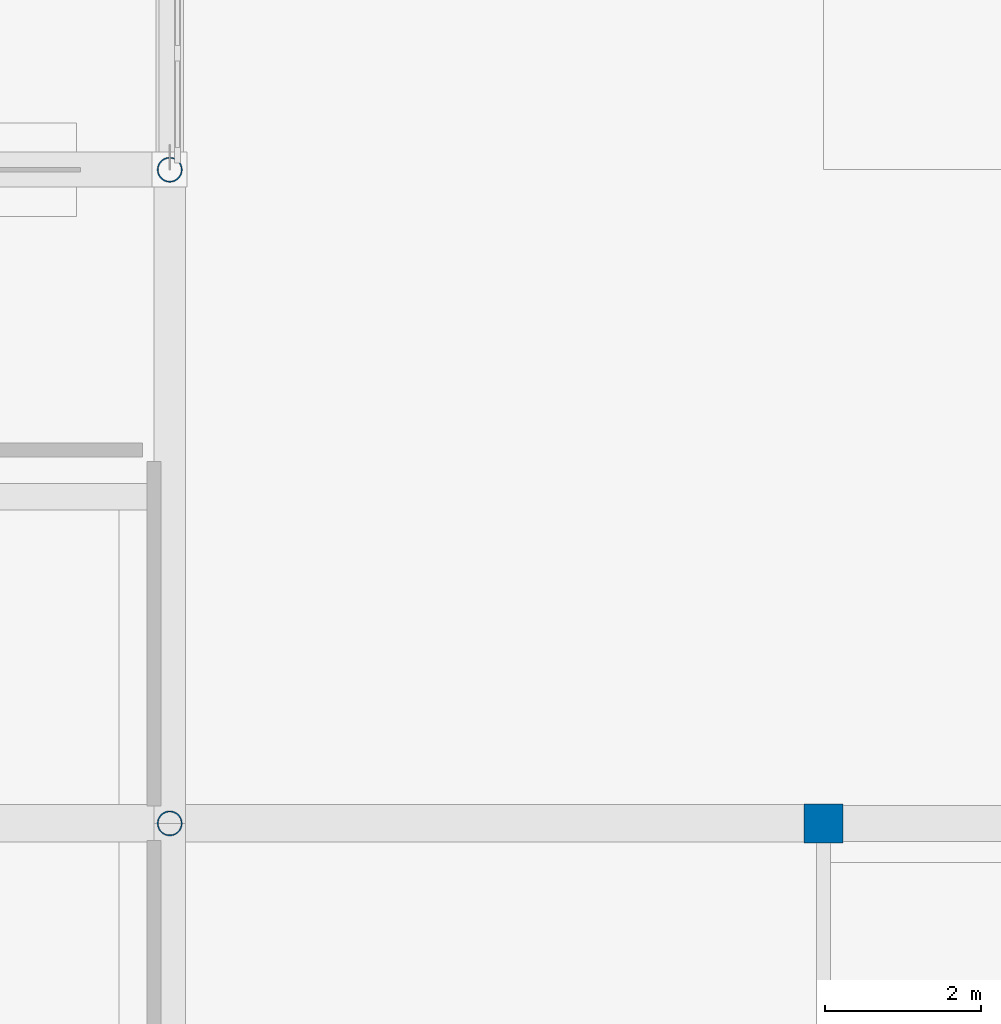
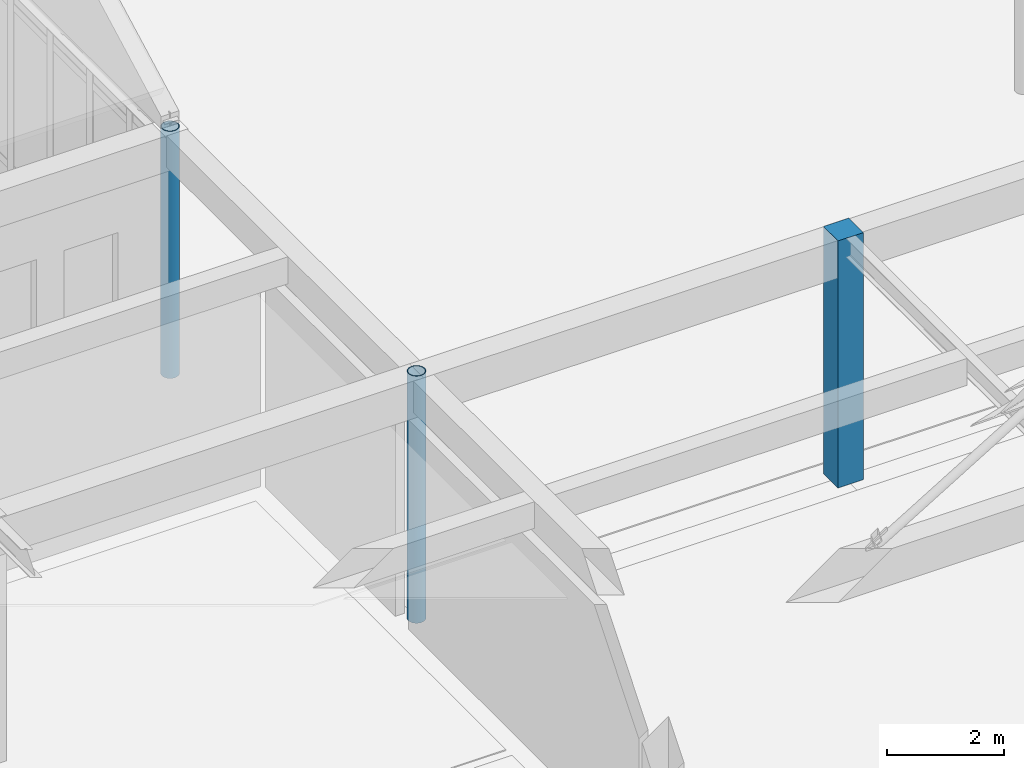
# One storey, part 9 of 143: 3 columns.
"""IFC4 building model written with IfcOpenShell, lengths in metres."""

from ifc_helpers import new_model, si_unit, direction, frame, origin, origin_2d, place, context, subcontext, project, spatial, rectangle, hollow_circle, extrude, material, material_profile, profile_set, type_object, element, save


model = new_model("IFC4")

# Units and contexts
model_context = context("Model", 3, precision=1e-05, world=origin(), true_north=direction((0.0, 1.0)))
body_context = subcontext(model_context, "Body", "Model", "MODEL_VIEW")
ifc_project = project(units=[si_unit("LENGTHUNIT", "METRE"), si_unit("AREAUNIT", "SQUARE_METRE"), si_unit("VOLUMEUNIT", "CUBIC_METRE"), si_unit("PLANEANGLEUNIT", "RADIAN"), si_unit("MASSUNIT", "GRAM", prefix="KILO")], contexts=[model_context])

# Site, building, storey
site_placement = place(None, origin())
site = spatial("IfcSite", under=ifc_project, at=site_placement, CompositionType="ELEMENT")
building_placement = place(site_placement, origin())
building = spatial("IfcBuilding", under=site, at=building_placement, Name="Kveldsbrygga Polytechnic", CompositionType="ELEMENT")
storey_placement = place(building_placement, origin())
storey = spatial("IfcBuildingStorey", under=building, at=storey_placement, Name="L00", CompositionType="ELEMENT", Elevation=0.0)

# Columns
ifc_material_1 = material(Name="Concrete C45/55", Category="concrete")
ifc_material_profile_1 = material_profile(ifc_material_1, rectangle(XDim=0.5, YDim=0.5, at=origin_2d()), Name="RC 500x500")
ifc_profile_set_1 = profile_set([ifc_material_profile_1], Name="Concrete C45/55")
column_type_1 = type_object("IfcColumnType", Name="COL-RC-500", PredefinedType="COLUMN", material=ifc_profile_set_1)
column_placement = place(storey_placement, frame((58.800048828125, 16.800048828125, 0.0), z_axis=(0.0, 0.0, 1.0), x_axis=(1.0, 0.0, 0.0)))
element("IfcColumn", 1, at=column_placement, inside=storey, type_object=column_type_1, Name="Column COL-L00-07-02", PredefinedType="COLUMN", context=body_context, shape_type="SweptSolid", body=[
    extrude(rectangle(XDim=0.5, YDim=0.5, at=origin_2d()), origin(), (0.0, 0.0, 1.0), 5.139892578125),
])
ifc_material_2 = material(Name="Steel S355", Category="steel")
ifc_material_profile_2 = material_profile(ifc_material_2, hollow_circle(Radius=0.161865234375, WallThickness=0.01611328125, at=origin_2d()), Name="CHS 323.9x16.0")
ifc_profile_set_2 = profile_set([ifc_material_profile_2], Name="Steel S355")
column_type_2 = type_object("IfcColumnType", Name="COL-STL-CHS324", PredefinedType="COLUMN", material=ifc_profile_set_2)
for number, where, z_axis, x_axis, name in (
    (2, (50.39990234375, 16.800048828125, 0.0), (0.0, 0.0, 1.0), (1.0, 0.0, 0.0), "Column COL-L00-06-02"),
    (3, (50.39990234375, 25.199951171875, 0.0), (0.0, 0.0, 1.0), (1.0, 0.0, 0.0), "Column COL-L00-06-03"),
):
    element("IfcColumn", number, at=place(storey_placement, frame(where, z_axis=z_axis, x_axis=x_axis)), inside=storey, type_object=column_type_2, Name=name, PredefinedType="COLUMN", context=body_context, shape_type="SweptSolid", body=[
        extrude(hollow_circle(Radius=0.161865234375, WallThickness=0.01611328125, at=origin_2d()), origin(), (0.0, 0.0, 1.0), 5.139892578125),
    ])

save(model, "model.ifc")
